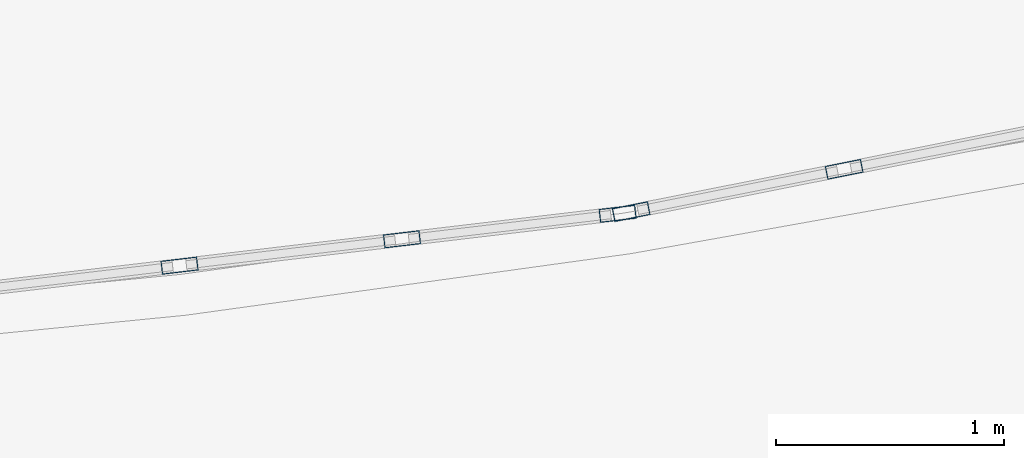
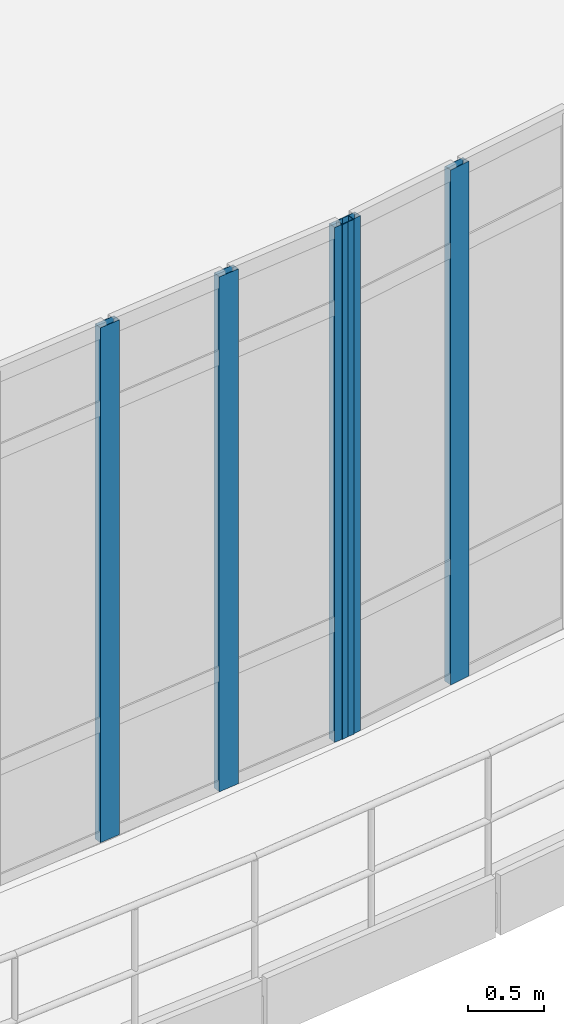
# One storey, part 24 of 134: 5 members, 2 elements without a shape of their own.
"""IFC4 building model written with IfcOpenShell, lengths in metres."""

from ifc_helpers import new_model, si_unit, direction, frame, origin, origin_2d, place, context, subcontext, project, spatial, hollow_rectangle, extrude, material, material_profile, profile_set, type_object, element, aggregate, save


model = new_model("IFC4")

# Units and contexts
model_context = context("Model", 3, precision=1e-05, world=origin(), true_north=direction((0.0, 1.0)))
body_context = subcontext(model_context, "Body", "Model", "MODEL_VIEW")
ifc_project = project(units=[si_unit("LENGTHUNIT", "METRE"), si_unit("AREAUNIT", "SQUARE_METRE"), si_unit("VOLUMEUNIT", "CUBIC_METRE"), si_unit("PLANEANGLEUNIT", "RADIAN"), si_unit("MASSUNIT", "GRAM", prefix="KILO")], contexts=[model_context])

# Site, building, storey
site_placement = place(None, origin())
site = spatial("IfcSite", under=ifc_project, at=site_placement, CompositionType="ELEMENT")
building_placement = place(site_placement, origin())
building = spatial("IfcBuilding", under=site, at=building_placement, Name="Kalluvel Institute of Natural Sciences", CompositionType="ELEMENT")
storey_placement = place(building_placement, frame((0.0, 0.0, 5.39990234375)))
storey = spatial("IfcBuildingStorey", under=building, at=storey_placement, Name="L01", CompositionType="ELEMENT", Elevation=5.39990234375)

# Curtain wall, members
ifc_material = material(Name="Aluminium AW-6063 T6", Category="aluminium")
curtain_wall_type = type_object("IfcCurtainWallType", Name="CW-ATR-ARC", PredefinedType="USERDEFINED", material=ifc_material)
curtain_wall_1_placement = place(storey_placement, origin())
curtain_wall_1 = element("IfcCurtainWall", 1, at=curtain_wall_1_placement, inside=storey, type_object=curtain_wall_type, Name="L01 Gothic lancet curtain wall CWA-L01-X395-Y530", ObjectType="UNITISED LANCET FACADE", PredefinedType="USERDEFINED")
ifc_material_profile = material_profile(ifc_material, hollow_rectangle(XDim=0.06005859375, YDim=0.159912109375, WallThickness=0.00390625, at=origin_2d()), Name="CWM 60x160")
ifc_profile_set = profile_set([ifc_material_profile], Name="Aluminium AW-6063 T6")
member_type = type_object("IfcMemberType", Name="CWM-60x160", PredefinedType="MULLION", material=ifc_profile_set)
member_1_placement = place(storey_placement, frame((41.466552734375, 53.234619140625, 0.0), z_axis=(0.0, 0.0, 1.0), x_axis=(-0.117539460852, 0.993068212734, 0.0)))
member_1 = element("IfcMember", 2, at=member_1_placement, type_object=member_type, Name="CW-05 mullion 3", PredefinedType="MULLION", context=body_context, shape_type="SweptSolid", body=[
    extrude(hollow_rectangle(XDim=0.06005859375, YDim=0.159912109375, WallThickness=0.00390625, at=origin_2d()), origin(), (0.0, 0.0, 1.0), 4.150146484375),
])
member_2_placement = place(storey_placement, frame((42.440185546875, 53.349853515625, 0.0), z_axis=(0.0, 0.0, 1.0), x_axis=(-0.117539460852, 0.993068212734, 0.0)))
member_2 = element("IfcMember", 3, at=member_2_placement, type_object=member_type, Name="CW-05 mullion 4", PredefinedType="MULLION", context=body_context, shape_type="SweptSolid", body=[
    extrude(hollow_rectangle(XDim=0.06005859375, YDim=0.159912109375, WallThickness=0.00390625, at=origin_2d()), origin(), (0.0, 0.0, 1.0), 4.150146484375),
])
member_3_placement = place(storey_placement, frame((43.384033203125, 53.46142578125, 0.0), z_axis=(0.0, 0.0, 1.0), x_axis=(-0.117539460852, 0.993068212734, 0.0)))
member_3 = element("IfcMember", 4, at=member_3_placement, type_object=member_type, Name="CW-05 mullion 5", PredefinedType="MULLION", context=body_context, shape_type="SweptSolid", body=[
    extrude(hollow_rectangle(XDim=0.06005859375, YDim=0.159912109375, WallThickness=0.00390625, at=origin_2d()), origin(), (0.0, 0.0, 1.0), 4.150146484375),
])
aggregate(curtain_wall_1, [member_1, member_2, member_3])

curtain_wall_2_placement = place(storey_placement, origin())
curtain_wall_2 = element("IfcCurtainWall", 5, at=curtain_wall_2_placement, inside=storey, type_object=curtain_wall_type, Name="L01 Gothic lancet curtain wall CWA-L01-X434-Y535", ObjectType="UNITISED LANCET FACADE", PredefinedType="USERDEFINED")
member_4_placement = place(storey_placement, frame((43.443359375, 53.470947265625, 0.0), z_axis=(0.0, 0.0, 1.0), x_axis=(-0.195076537251, 0.980788022263, 0.0)))
member_4 = element("IfcMember", 6, at=member_4_placement, type_object=member_type, Name="CW-05 mullion 1", PredefinedType="MULLION", context=body_context, shape_type="SweptSolid", body=[
    extrude(hollow_rectangle(XDim=0.06005859375, YDim=0.159912109375, WallThickness=0.00390625, at=origin_2d()), origin(), (0.0, 0.0, 1.0), 4.150146484375),
])
member_5_placement = place(storey_placement, frame((44.37548828125, 53.65625, 0.0), z_axis=(0.0, 0.0, 1.0), x_axis=(-0.195076537251, 0.980788022263, 0.0)))
member_5 = element("IfcMember", 7, at=member_5_placement, type_object=member_type, Name="CW-05 mullion 2", PredefinedType="MULLION", context=body_context, shape_type="SweptSolid", body=[
    extrude(hollow_rectangle(XDim=0.06005859375, YDim=0.159912109375, WallThickness=0.00390625, at=origin_2d()), origin(), (0.0, 0.0, 1.0), 4.150146484375),
])
aggregate(curtain_wall_2, [member_4, member_5])

save(model, "model.ifc")
